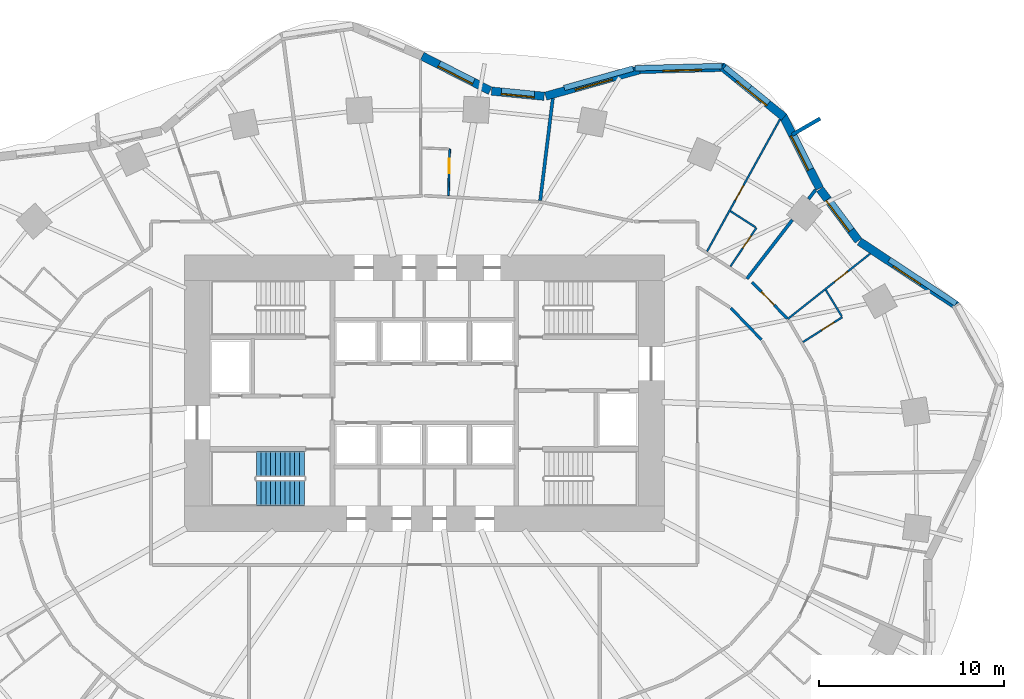
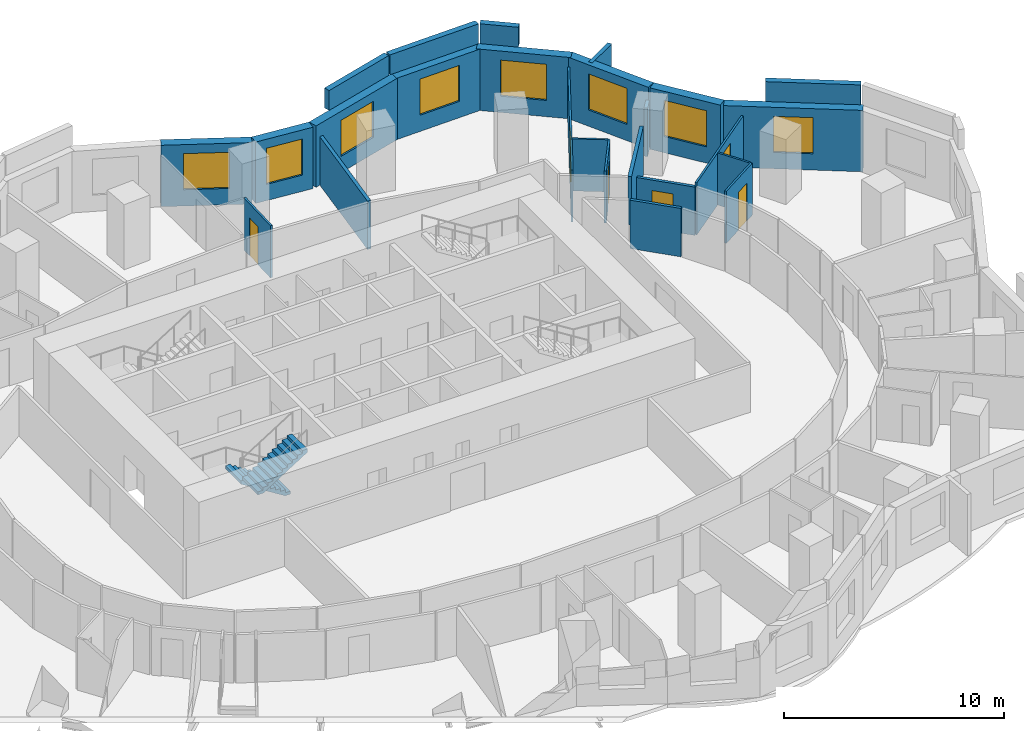
# One storey, part 9 of 11: 25 walls, 8 windows, 6 doors, 2 stair flights, 14 openings, 1 element without a shape of its own.
"""IFC4 building model written with IfcOpenShell, lengths in metres."""

from ifc_helpers import new_model, si_unit, direction, frame, frame_2d, origin, place, context, subcontext, project, spatial, polyline, rectangle, outline, extrude, material, layer, layer_set, type_object, element, fill, aggregate, save


model = new_model("IFC4")

# Units and contexts
model_context = context("Model", 3, precision=1e-05, world=origin(), true_north=direction((0.0, 1.0)))
body_context = subcontext(model_context, "Body", "Model", "MODEL_VIEW")
ifc_project = project(units=[si_unit("LENGTHUNIT", "METRE"), si_unit("AREAUNIT", "SQUARE_METRE"), si_unit("VOLUMEUNIT", "CUBIC_METRE"), si_unit("PLANEANGLEUNIT", "RADIAN"), si_unit("MASSUNIT", "GRAM", prefix="KILO")], contexts=[model_context])

# Site, building, storey
site_placement = place(None, origin())
site = spatial("IfcSite", under=ifc_project, at=site_placement, CompositionType="ELEMENT")
building_placement = place(site_placement, origin())
building = spatial("IfcBuilding", under=site, at=building_placement, Name="Rubra Terraces Tower", CompositionType="ELEMENT")
storey_placement = place(building_placement, frame((0.0, 0.0, 37.5)))
storey = spatial("IfcBuildingStorey", under=building, at=storey_placement, Name="L06", CompositionType="ELEMENT", Elevation=37.5)

# Walls
ifc_material_1 = material(Name="Twin plasterboard on staggered steel stud, acoustic mineral wool", Category="steel")
ifc_layer_1 = layer(ifc_material_1, 0.175048828125)
ifc_layer_set_1 = layer_set([ifc_layer_1], Name="Twin plasterboard on staggered steel stud, acoustic mineral wool")
wall_type_1 = type_object("IfcWallType", Name="ACOUSTIC PARTY WALL 175", PredefinedType="PARTITIONING", material=ifc_layer_set_1)
wall_1_placement = place(storey_placement, frame((21.196533203125, 15.51513671875, 0.0), z_axis=(0.0, 0.0, 1.0), x_axis=(-0.61138040292, -0.791336845424, 0.0)))
element("IfcWall", 1, at=wall_1_placement, inside=storey, type_object=wall_type_1, Name="PARTITION", PredefinedType="PARTITIONING", context=body_context, shape_type="SweptSolid", body=[
    extrude(rectangle(XDim=0.621337890625, YDim=0.175048828125, at=frame_2d((0.310546875, 0.0))), origin(), (0.0, 0.0, 1.0), 2.679931640625),
])
wall_2_placement = place(storey_placement, frame((19.935546875, 13.883056640625, 0.0), z_axis=(0.0, 0.0, 1.0), x_axis=(-0.611406081733, -0.791317005516, 0.0)))
element("IfcWall", 2, at=wall_2_placement, inside=storey, type_object=wall_type_1, Name="PARTITION", PredefinedType="PARTITIONING", context=body_context, shape_type="SweptSolid", body=[
    extrude(rectangle(XDim=4.026123046875, YDim=0.175048828125, at=frame_2d((2.01318359375, 0.0))), origin(), (0.0, 0.0, 1.0), 2.679931640625),
])
wall_3_placement = place(storey_placement, frame((6.959716796875, 20.461669921875, 0.0), z_axis=(0.0, 0.0, 1.0), x_axis=(-0.122322154521, -0.992490448575, 0.0)))
element("IfcWall", 3, at=wall_3_placement, inside=storey, type_object=wall_type_1, Name="PARTITION", PredefinedType="PARTITIONING", context=body_context, shape_type="SweptSolid", body=[
    extrude(rectangle(XDim=5.5625, YDim=0.175048828125, at=frame_2d((2.78125, 0.0))), origin(), (0.0, 0.0, 1.0), 2.679931640625),
])

# Wall, opening, window
ifc_material_2 = material(Name="Brick masonry red-brown", Category="masonry")
ifc_layer_2 = layer(ifc_material_2, 0.449951171875)
ifc_layer_set_2 = layer_set([ifc_layer_2], Name="Brick masonry red-brown")
wall_type_2 = type_object("IfcWallType", Name="Brick facade wall 450", PredefinedType="SOLIDWALL", material=ifc_layer_set_2)
wall_4_placement = place(storey_placement, frame((28.85302734375, 9.227294921875, 0.0), z_axis=(0.0, 0.0, 1.0), x_axis=(-0.834404370393, 0.551152743502, 0.0)))
wall_4 = element("IfcWall", 4, at=wall_4_placement, inside=storey, type_object=wall_type_2, Name="Facade wall L06 bay 3", PredefinedType="SOLIDWALL", context=body_context, shape_type="SweptSolid", body=[
    extrude(rectangle(XDim=6.329833984375, YDim=0.449951171875, at=frame_2d((3.1650390625, 0.0))), origin(), (0.0, 0.0, 1.0), 3.39990234375),
])
opening_1_placement = place(wall_4_placement, frame((2.264892578125, 0.0, 0.89990234375)))
opening_1 = element("IfcOpeningElement", 5, at=opening_1_placement, cuts=wall_4, Name="Opening W6", PredefinedType="OPENING", context=body_context, shape_type="SweptSolid", body=[
    extrude(rectangle(XDim=1.800048828125, YDim=2.0, at=frame_2d((0.89990234375, 1.0))), frame((0.0, 0.23486328125, 0.0), z_axis=(0.0, -1.0, 0.0), x_axis=(1.0, 0.0, 0.0)), (0.0, 0.0, 1.0), 0.469970703125),
])
ifc_material_3 = material(Name="Clear glass in aluminium frame", Category="aluminium")
window_type_1 = type_object("IfcWindowType", Name="Fixed deep-set window at wind fin 1800 x 2000", PartitioningType="SINGLE_PANEL", PredefinedType="WINDOW", material=ifc_material_3)
window_1_placement = place(opening_1_placement, origin())
window_1 = element("IfcWindow", 6, at=window_1_placement, inside=storey, type_object=window_type_1, Name="Window L06 bay 3", OverallHeight=2.0, OverallWidth=1.800048828125, PartitioningType="SINGLE_PANEL", PredefinedType="WINDOW", context=body_context, shape_type="SweptSolid", body=[
    extrude(rectangle(XDim=1.800048828125, YDim=2.0, at=frame_2d((0.89990234375, 1.0))), frame((0.0, 0.135009765625, 0.0), z_axis=(0.0, -1.0, 0.0), x_axis=(1.0, 0.0, 0.0)), (0.0, 0.0, 1.0), 0.06005859375),
])
fill(opening_1, window_1)

wall_5_placement = place(storey_placement, frame((23.520263671875, 12.762451171875, 0.0), z_axis=(0.0, 0.0, 1.0), x_axis=(-0.598664281495, 0.801000048728, 0.0)))
wall_5 = element("IfcWall", 7, at=wall_5_placement, inside=storey, type_object=wall_type_2, Name="Facade wall L06 bay 4", PredefinedType="SOLIDWALL", context=body_context, shape_type="SweptSolid", body=[
    extrude(rectangle(XDim=3.482177734375, YDim=0.449951171875, at=frame_2d((1.7412109375, 0.0))), origin(), (0.0, 0.0, 1.0), 3.39990234375),
])
opening_2_placement = place(wall_5_placement, frame((0.691162109375, 0.0, 0.89990234375)))
opening_2 = element("IfcOpeningElement", 8, at=opening_2_placement, cuts=wall_5, Name="Opening W1", PredefinedType="OPENING", context=body_context, shape_type="SweptSolid", body=[
    extrude(rectangle(XDim=2.10009765625, YDim=2.0, at=frame_2d((1.050048828125, 1.0))), frame((0.0, 0.23486328125, 0.0), z_axis=(0.0, -1.0, 0.0), x_axis=(1.0, 0.0, 0.0)), (0.0, 0.0, 1.0), 0.469970703125),
])
window_type_2 = type_object("IfcWindowType", Name="Fixed deep-set window 2100 x 2000", PartitioningType="SINGLE_PANEL", PredefinedType="WINDOW", material=ifc_material_3)
window_2_placement = place(opening_2_placement, origin())
window_2 = element("IfcWindow", 9, at=window_2_placement, inside=storey, type_object=window_type_2, Name="Window L06 bay 4", OverallHeight=2.0, OverallWidth=2.10009765625, PartitioningType="SINGLE_PANEL", PredefinedType="WINDOW", context=body_context, shape_type="SweptSolid", body=[
    extrude(rectangle(XDim=2.10009765625, YDim=2.0, at=frame_2d((1.050048828125, 1.0))), frame((0.0, 0.135009765625, 0.0), z_axis=(0.0, -1.0, 0.0), x_axis=(1.0, 0.0, 0.0)), (0.0, 0.0, 1.0), 0.06005859375),
])
fill(opening_2, window_2)

wall_6_placement = place(storey_placement, frame((21.41259765625, 15.586181640625, 0.0), z_axis=(0.0, 0.0, 1.0), x_axis=(-0.449428064685, 0.893316525467, 0.0)))
wall_6 = element("IfcWall", 10, at=wall_6_placement, inside=storey, type_object=wall_type_2, Name="Facade wall L06 bay 5", PredefinedType="SOLIDWALL", context=body_context, shape_type="SweptSolid", body=[
    extrude(rectangle(XDim=4.4072265625, YDim=0.449951171875, at=frame_2d((2.20361328125, 0.0))), origin(), (0.0, 0.0, 1.0), 3.39990234375),
])
opening_3_placement = place(wall_6_placement, frame((1.153564453125, 0.0, 0.89990234375)))
opening_3 = element("IfcOpeningElement", 11, at=opening_3_placement, cuts=wall_6, Name="Opening W1", PredefinedType="OPENING", context=body_context, shape_type="SweptSolid", body=[
    extrude(rectangle(XDim=2.10009765625, YDim=2.0, at=frame_2d((1.050048828125, 1.0))), frame((0.0, 0.23486328125, 0.0), z_axis=(0.0, -1.0, 0.0), x_axis=(1.0, 0.0, 0.0)), (0.0, 0.0, 1.0), 0.469970703125),
])
window_3_placement = place(opening_3_placement, origin())
window_3 = element("IfcWindow", 12, at=window_3_placement, inside=storey, type_object=window_type_2, Name="Window L06 bay 5", OverallHeight=2.0, OverallWidth=2.10009765625, PartitioningType="SINGLE_PANEL", PredefinedType="WINDOW", context=body_context, shape_type="SweptSolid", body=[
    extrude(rectangle(XDim=2.10009765625, YDim=2.0, at=frame_2d((1.050048828125, 1.0))), frame((0.0, 0.135009765625, 0.0), z_axis=(0.0, -1.0, 0.0), x_axis=(1.0, 0.0, 0.0)), (0.0, 0.0, 1.0), 0.06005859375),
])
fill(opening_3, window_3)

wall_7_placement = place(storey_placement, frame((19.48779296875, 19.45556640625, 0.0), z_axis=(0.0, 0.0, 1.0), x_axis=(-0.775096506427, 0.631842864741, 0.0)))
wall_7 = element("IfcWall", 13, at=wall_7_placement, inside=storey, type_object=wall_type_2, Name="Facade wall L06 bay 6", PredefinedType="SOLIDWALL", context=body_context, shape_type="SweptSolid", body=[
    extrude(rectangle(XDim=4.349365234375, YDim=0.449951171875, at=frame_2d((2.1748046875, 0.0))), origin(), (0.0, 0.0, 1.0), 3.39990234375),
])
opening_4_placement = place(wall_7_placement, frame((1.12451171875, 0.0, 0.89990234375)))
opening_4 = element("IfcOpeningElement", 14, at=opening_4_placement, cuts=wall_7, Name="Opening W1", PredefinedType="OPENING", context=body_context, shape_type="SweptSolid", body=[
    extrude(rectangle(XDim=2.10009765625, YDim=2.0, at=frame_2d((1.050048828125, 1.0))), frame((0.0, 0.23486328125, 0.0), z_axis=(0.0, -1.0, 0.0), x_axis=(1.0, 0.0, 0.0)), (0.0, 0.0, 1.0), 0.469970703125),
])
window_4_placement = place(opening_4_placement, origin())
window_4 = element("IfcWindow", 15, at=window_4_placement, inside=storey, type_object=window_type_2, Name="Window L06 bay 6", OverallHeight=2.0, OverallWidth=2.10009765625, PartitioningType="SINGLE_PANEL", PredefinedType="WINDOW", context=body_context, shape_type="SweptSolid", body=[
    extrude(rectangle(XDim=2.10009765625, YDim=2.0, at=frame_2d((1.050048828125, 1.0))), frame((0.0, 0.135009765625, 0.0), z_axis=(0.0, -1.0, 0.0), x_axis=(1.0, 0.0, 0.0)), (0.0, 0.0, 1.0), 0.06005859375),
])
fill(opening_4, window_4)

wall_8_placement = place(storey_placement, frame((16.264892578125, 22.153076171875, 0.0), z_axis=(0.0, 0.0, 1.0), x_axis=(-0.999672618135, -0.025586257081, 0.0)))
wall_8 = element("IfcWall", 16, at=wall_8_placement, inside=storey, type_object=wall_type_2, Name="Facade wall L06 bay 7", PredefinedType="SOLIDWALL", context=body_context, shape_type="SweptSolid", body=[
    extrude(rectangle(XDim=4.589599609375, YDim=0.449951171875, at=frame_2d((2.294921875, 0.0))), origin(), (0.0, 0.0, 1.0), 3.39990234375),
])
opening_5_placement = place(wall_8_placement, frame((1.244873046875, 0.0, 0.89990234375)))
opening_5 = element("IfcOpeningElement", 17, at=opening_5_placement, cuts=wall_8, Name="Opening W1", PredefinedType="OPENING", context=body_context, shape_type="SweptSolid", body=[
    extrude(rectangle(XDim=2.10009765625, YDim=2.0, at=frame_2d((1.050048828125, 1.0))), frame((0.0, 0.23486328125, 0.0), z_axis=(0.0, -1.0, 0.0), x_axis=(1.0, 0.0, 0.0)), (0.0, 0.0, 1.0), 0.469970703125),
])
window_5_placement = place(opening_5_placement, origin())
window_5 = element("IfcWindow", 18, at=window_5_placement, inside=storey, type_object=window_type_2, Name="Window L06 bay 7", OverallHeight=2.0, OverallWidth=2.10009765625, PartitioningType="SINGLE_PANEL", PredefinedType="WINDOW", context=body_context, shape_type="SweptSolid", body=[
    extrude(rectangle(XDim=2.10009765625, YDim=2.0, at=frame_2d((1.050048828125, 1.0))), frame((0.0, 0.135009765625, 0.0), z_axis=(0.0, -1.0, 0.0), x_axis=(1.0, 0.0, 0.0)), (0.0, 0.0, 1.0), 0.06005859375),
])
fill(opening_5, window_5)

wall_9_placement = place(storey_placement, frame((11.73193359375, 22.0439453125, 0.0), z_axis=(0.0, 0.0, 1.0), x_axis=(-0.962535416232, -0.271155992925, 0.0)))
wall_9 = element("IfcWall", 19, at=wall_9_placement, inside=storey, type_object=wall_type_2, Name="Facade wall L06 bay 8", PredefinedType="SOLIDWALL", context=body_context, shape_type="SweptSolid", body=[
    extrude(rectangle(XDim=5.357177734375, YDim=0.449951171875, at=frame_2d((2.6787109375, 0.0))), origin(), (0.0, 0.0, 1.0), 3.39990234375),
])
opening_6_placement = place(wall_9_placement, frame((1.628662109375, 0.0, 0.89990234375)))
opening_6 = element("IfcOpeningElement", 20, at=opening_6_placement, cuts=wall_9, Name="Opening W1", PredefinedType="OPENING", context=body_context, shape_type="SweptSolid", body=[
    extrude(rectangle(XDim=2.10009765625, YDim=2.0, at=frame_2d((1.050048828125, 1.0))), frame((0.0, 0.23486328125, 0.0), z_axis=(0.0, -1.0, 0.0), x_axis=(1.0, 0.0, 0.0)), (0.0, 0.0, 1.0), 0.469970703125),
])
window_6_placement = place(opening_6_placement, origin())
window_6 = element("IfcWindow", 21, at=window_6_placement, inside=storey, type_object=window_type_2, Name="Window L06 bay 8", OverallHeight=2.0, OverallWidth=2.10009765625, PartitioningType="SINGLE_PANEL", PredefinedType="WINDOW", context=body_context, shape_type="SweptSolid", body=[
    extrude(rectangle(XDim=2.10009765625, YDim=2.0, at=frame_2d((1.050048828125, 1.0))), frame((0.0, 0.135009765625, 0.0), z_axis=(0.0, -1.0, 0.0), x_axis=(1.0, 0.0, 0.0)), (0.0, 0.0, 1.0), 0.06005859375),
])
fill(opening_6, window_6)

wall_10_placement = place(storey_placement, frame((6.4921875, 20.583984375, 0.0), z_axis=(0.0, 0.0, 1.0), x_axis=(-0.995123748575, 0.098634299418, 0.0)))
wall_10 = element("IfcWall", 22, at=wall_10_placement, inside=storey, type_object=wall_type_2, Name="Facade wall L06 bay 9", PredefinedType="SOLIDWALL", context=body_context, shape_type="SweptSolid", body=[
    extrude(rectangle(XDim=2.86376953125, YDim=0.449951171875, at=frame_2d((1.431884765625, 0.0))), origin(), (0.0, 0.0, 1.0), 3.39990234375),
])
opening_7_placement = place(wall_10_placement, frame((0.531982421875, 0.0, 0.89990234375)))
opening_7 = element("IfcOpeningElement", 23, at=opening_7_placement, cuts=wall_10, Name="Opening W6", PredefinedType="OPENING", context=body_context, shape_type="SweptSolid", body=[
    extrude(rectangle(XDim=1.800048828125, YDim=2.0, at=frame_2d((0.89990234375, 1.0))), frame((0.0, 0.23486328125, 0.0), z_axis=(0.0, -1.0, 0.0), x_axis=(1.0, 0.0, 0.0)), (0.0, 0.0, 1.0), 0.469970703125),
])
window_7_placement = place(opening_7_placement, origin())
window_7 = element("IfcWindow", 24, at=window_7_placement, inside=storey, type_object=window_type_1, Name="Window L06 bay 9", OverallHeight=2.0, OverallWidth=1.800048828125, PartitioningType="SINGLE_PANEL", PredefinedType="WINDOW", context=body_context, shape_type="SweptSolid", body=[
    extrude(rectangle(XDim=1.800048828125, YDim=2.0, at=frame_2d((0.89990234375, 1.0))), frame((0.0, 0.135009765625, 0.0), z_axis=(0.0, -1.0, 0.0), x_axis=(1.0, 0.0, 0.0)), (0.0, 0.0, 1.0), 0.06005859375),
])
fill(opening_7, window_7)

wall_11_placement = place(storey_placement, frame((3.564208984375, 20.888916015625, 0.0), z_axis=(0.0, 0.0, 1.0), x_axis=(-0.891033634447, 0.453937288933, 0.0)))
wall_11 = element("IfcWall", 25, at=wall_11_placement, inside=storey, type_object=wall_type_2, Name="Facade wall L06 bay 10", PredefinedType="SOLIDWALL", context=body_context, shape_type="SweptSolid", body=[
    extrude(rectangle(XDim=4.131591796875, YDim=0.449951171875, at=frame_2d((2.06591796875, 0.0))), origin(), (0.0, 0.0, 1.0), 3.39990234375),
])
opening_8_placement = place(wall_11_placement, frame((1.015869140625, 0.0, 0.89990234375)))
opening_8 = element("IfcOpeningElement", 26, at=opening_8_placement, cuts=wall_11, Name="Opening W1", PredefinedType="OPENING", context=body_context, shape_type="SweptSolid", body=[
    extrude(rectangle(XDim=2.10009765625, YDim=2.0, at=frame_2d((1.050048828125, 1.0))), frame((0.0, 0.23486328125, 0.0), z_axis=(0.0, -1.0, 0.0), x_axis=(1.0, 0.0, 0.0)), (0.0, 0.0, 1.0), 0.469970703125),
])
window_8_placement = place(opening_8_placement, origin())
window_8 = element("IfcWindow", 27, at=window_8_placement, inside=storey, type_object=window_type_2, Name="Window L06 bay 10", OverallHeight=2.0, OverallWidth=2.10009765625, PartitioningType="SINGLE_PANEL", PredefinedType="WINDOW", context=body_context, shape_type="SweptSolid", body=[
    extrude(rectangle(XDim=2.10009765625, YDim=2.0, at=frame_2d((1.050048828125, 1.0))), frame((0.0, 0.135009765625, 0.0), z_axis=(0.0, -1.0, 0.0), x_axis=(1.0, 0.0, 0.0)), (0.0, 0.0, 1.0), 0.06005859375),
])
fill(opening_8, window_8)

# Walls
ifc_layer_3 = layer(ifc_material_2, 0.300048828125)
ifc_layer_set_3 = layer_set([ifc_layer_3], Name="Brick masonry red-brown")
wall_type_3 = type_object("IfcWallType", Name="Brick parapet 300", PredefinedType="PARAPET", material=ifc_layer_set_3)
wall_12_placement = place(storey_placement, frame((28.80712890625, 9.347412109375, 3.60009765625), z_axis=(0.0, 0.0, 1.0), x_axis=(-0.834398186729, 0.551162104995, 0.0)))
element("IfcWall", 28, at=wall_12_placement, inside=storey, type_object=wall_type_3, Name="Parapet L06 bay 3", PredefinedType="PARAPET", context=body_context, shape_type="SweptSolid", body=[
    extrude(rectangle(XDim=4.33740234375, YDim=0.300048828125, at=frame_2d((2.168701171875, 0.0))), origin(), (0.0, 0.0, 1.0), 1.099853515625),
])
wall_13_placement = place(storey_placement, frame((17.646728515625, 21.05322265625, 3.60009765625), z_axis=(0.0, 0.0, 1.0), x_axis=(-0.775067490636, 0.631878457426, 0.0)))
element("IfcWall", 29, at=wall_13_placement, inside=storey, type_object=wall_type_3, Name="Parapet L06 bay 6", PredefinedType="PARAPET", context=body_context, shape_type="SweptSolid", body=[
    extrude(rectangle(XDim=1.771484375, YDim=0.300048828125, at=frame_2d((0.8857421875, 0.0))), origin(), (0.0, 0.0, 1.0), 1.099853515625),
])
wall_14_placement = place(storey_placement, frame((16.121826171875, 22.224365234375, 3.60009765625), z_axis=(0.0, 0.0, 1.0), x_axis=(-0.999672688687, -0.025583500399, 0.0)))
element("IfcWall", 30, at=wall_14_placement, inside=storey, type_object=wall_type_3, Name="Parapet L06 bay 7", PredefinedType="PARAPET", context=body_context, shape_type="SweptSolid", body=[
    extrude(rectangle(XDim=4.714111328125, YDim=0.300048828125, at=frame_2d((2.35693359375, 0.0))), origin(), (0.0, 0.0, 1.0), 1.099853515625),
])
wall_15_placement = place(storey_placement, frame((11.313720703125, 22.08935546875, 3.60009765625), z_axis=(0.0, 0.0, 1.0), x_axis=(-0.962524249835, -0.271195627691, 0.0)))
element("IfcWall", 31, at=wall_15_placement, inside=storey, type_object=wall_type_3, Name="Parapet L06 bay 8", PredefinedType="PARAPET", context=body_context, shape_type="SweptSolid", body=[
    extrude(rectangle(XDim=3.880126953125, YDim=0.300048828125, at=frame_2d((1.93994140625, 0.0))), origin(), (0.0, 0.0, 1.0), 1.099853515625),
])
ifc_layer_4 = layer(ifc_material_2, 0.199951171875)
ifc_layer_set_4 = layer_set([ifc_layer_4], Name="Brick masonry red-brown")
wall_type_4 = type_object("IfcWallType", Name="Brick wind fin 200", PredefinedType="SOLIDWALL", material=ifc_layer_set_4)
wall_16_placement = place(storey_placement, frame((19.927978515625, 18.50390625, 0.0), z_axis=(0.0, 0.0, 1.0), x_axis=(0.865881186914, 0.500249707794, 0.0)))
element("IfcWall", 32, at=wall_16_placement, inside=storey, type_object=wall_type_4, Name="Wind fin L06 3", PredefinedType="SOLIDWALL", context=body_context, shape_type="SweptSolid", body=[
    extrude(rectangle(XDim=1.75, YDim=0.199951171875, at=frame_2d((0.875, 0.0))), origin(), (0.0, 0.0, 1.0), 3.39990234375),
])

# Wall, opening, door
ifc_material_4 = material(Name="Plasterboard on steel stud, mineral wool infill", Category="steel")
ifc_layer_5 = layer(ifc_material_4, 0.14990234375)
ifc_layer_set_5 = layer_set([ifc_layer_5], Name="Plasterboard on steel stud, mineral wool infill")
wall_type_5 = type_object("IfcWallType", Name="CORRIDOR PARTITION 150", PredefinedType="PARTITIONING", material=ifc_layer_set_5)
wall_17_placement = place(storey_placement, frame((19.662841796875, 8.5419921875, 0.0), z_axis=(0.0, 0.0, 1.0), x_axis=(-0.695225869021, 0.718791340407, 0.0)))
wall_17 = element("IfcWall", 33, at=wall_17_placement, inside=storey, type_object=wall_type_5, Name="PARTITION", PredefinedType="PARTITIONING", context=body_context, shape_type="SweptSolid", body=[
    extrude(rectangle(XDim=2.745361328125, YDim=0.14990234375, at=frame_2d((1.37255859375, 0.0))), origin(), (0.0, 0.0, 1.0), 2.679931640625),
])
opening_9_placement = place(wall_17_placement, frame((1.02392578125, 0.0, 0.0)))
opening_9 = element("IfcOpeningElement", 34, at=opening_9_placement, cuts=wall_17, Name="Opening 06-103", PredefinedType="OPENING", context=body_context, shape_type="SweptSolid", body=[
    extrude(rectangle(XDim=1.0, YDim=2.10009765625, at=frame_2d((0.5, 1.050048828125))), frame((0.0, 0.0849609375, 0.0), z_axis=(0.0, -1.0, 0.0), x_axis=(1.0, 0.0, 0.0)), (0.0, 0.0, 1.0), 0.169921875),
])
ifc_material_5 = material(Name="Painted timber door leaf", Category="wood")
door_type_1 = type_object("IfcDoorType", Name="ROOM DOOR 1000 X 2100", OperationType="SINGLE_SWING_LEFT", PredefinedType="DOOR", material=ifc_material_5)
door_1_placement = place(opening_9_placement, origin())
door_1 = element("IfcDoor", 35, at=door_1_placement, inside=storey, type_object=door_type_1, Name="DOOR 06-103", OperationType="SINGLE_SWING_RIGHT", OverallHeight=2.10009765625, OverallWidth=1.0, PredefinedType="DOOR", context=body_context, shape_type="SweptSolid", body=[
    extrude(rectangle(XDim=1.0, YDim=2.10009765625, at=frame_2d((0.5, 1.050048828125))), frame((0.0, 0.02490234375, 0.0), z_axis=(0.0, -1.0, 0.0), x_axis=(1.0, 0.0, 0.0)), (0.0, 0.0, 1.0), 0.050048828125),
])
fill(opening_9, door_1)

# Wall
wall_18_placement = place(storey_placement, frame((16.603515625, 9.1162109375, 0.0), z_axis=(0.0, 0.0, 1.0), x_axis=(0.695185405932, -0.718830474716, 0.0)))
element("IfcWall", 36, at=wall_18_placement, inside=storey, type_object=wall_type_5, Name="PARTITION", PredefinedType="PARTITIONING", context=body_context, shape_type="SweptSolid", body=[
    extrude(rectangle(XDim=2.3955078125, YDim=0.14990234375, at=frame_2d((1.19775390625, 0.0))), origin(), (0.0, 0.0, 1.0), 2.679931640625),
])

# Wall, opening, door
ifc_material_6 = material(Name="Plasterboard on steel stud", Category="steel")
ifc_layer_6 = layer(ifc_material_6, 0.10009765625)
ifc_layer_set_6 = layer_set([ifc_layer_6], Name="Plasterboard on steel stud")
wall_type_6 = type_object("IfcWallType", Name="ROOM PARTITION 100", PredefinedType="PARTITIONING", material=ifc_layer_set_6)
wall_19_placement = place(storey_placement, frame((24.156982421875, 12.0595703125, 0.0), z_axis=(0.0, 0.0, 1.0), x_axis=(-0.784024125513, -0.620730352579, 0.0)))
wall_19 = element("IfcWall", 37, at=wall_19_placement, inside=storey, type_object=wall_type_6, Name="PARTITION", PredefinedType="PARTITIONING", context=body_context, shape_type="SweptSolid", body=[
    extrude(rectangle(XDim=5.703857421875, YDim=0.10009765625, at=frame_2d((2.85205078125, 0.0))), origin(), (0.0, 0.0, 1.0), 2.884033203125),
])
opening_10_placement = place(wall_19_placement, frame((1.553955078125, 0.0, 0.0)))
opening_10 = element("IfcOpeningElement", 38, at=opening_10_placement, cuts=wall_19, Name="Opening 06-102", PredefinedType="OPENING", context=body_context, shape_type="SweptSolid", body=[
    extrude(rectangle(XDim=0.89990234375, YDim=2.39990234375, at=frame_2d((0.449951171875, 1.199951171875))), frame((0.0, 0.06005859375, 0.0), z_axis=(0.0, -1.0, 0.0), x_axis=(1.0, 0.0, 0.0)), (0.0, 0.0, 1.0), 0.1201171875),
])
ifc_material_7 = material(Name="Veneered timber door leaf, fire-rated", Category="wood")
door_type_2 = type_object("IfcDoorType", Name="SUITE ENTRANCE DOOR 900 X 2400", OperationType="SINGLE_SWING_LEFT", PredefinedType="DOOR", material=ifc_material_7)
door_2_placement = place(opening_10_placement, origin())
door_2 = element("IfcDoor", 39, at=door_2_placement, inside=storey, type_object=door_type_2, Name="DOOR 06-102", OperationType="SINGLE_SWING_LEFT", OverallHeight=2.39990234375, OverallWidth=0.89990234375, PredefinedType="DOOR", context=body_context, shape_type="SweptSolid", body=[
    extrude(rectangle(XDim=0.89990234375, YDim=2.39990234375, at=frame_2d((0.449951171875, 1.199951171875))), frame((0.0, 0.02490234375, 0.0), z_axis=(0.0, -1.0, 0.0), x_axis=(1.0, 0.0, 0.0)), (0.0, 0.0, 1.0), 0.050048828125),
])
fill(opening_10, door_2)

wall_20_placement = place(storey_placement, frame((20.510498046875, 7.268310546875, 0.0), z_axis=(0.0, 0.0, 1.0), x_axis=(0.845139460936, 0.534545874148, 0.0)))
wall_20 = element("IfcWall", 40, at=wall_20_placement, inside=storey, type_object=wall_type_6, Name="PARTITION", PredefinedType="PARTITIONING", context=body_context, shape_type="SweptSolid", body=[
    extrude(rectangle(XDim=2.524658203125, YDim=0.10009765625, at=frame_2d((1.26220703125, 0.0))), origin(), (0.0, 0.0, 1.0), 2.884033203125),
])
opening_11_placement = place(wall_20_placement, frame((1.199951171875, 0.0, 0.0)))
opening_11 = element("IfcOpeningElement", 41, at=opening_11_placement, cuts=wall_20, Name="Opening 06-101", PredefinedType="OPENING", context=body_context, shape_type="SweptSolid", body=[
    extrude(rectangle(XDim=0.800048828125, YDim=2.10009765625, at=frame_2d((0.39990234375, 1.050048828125))), frame((0.0, 0.06005859375, 0.0), z_axis=(0.0, -1.0, 0.0), x_axis=(1.0, 0.0, 0.0)), (0.0, 0.0, 1.0), 0.1201171875),
])
door_type_3 = type_object("IfcDoorType", Name="BATHROOM DOOR 800 X 2100", OperationType="SINGLE_SWING_LEFT", PredefinedType="DOOR", material=ifc_material_5)
door_3_placement = place(opening_11_placement, origin())
door_3 = element("IfcDoor", 42, at=door_3_placement, inside=storey, type_object=door_type_3, Name="DOOR 06-101", OperationType="SINGLE_SWING_LEFT", OverallHeight=2.10009765625, OverallWidth=0.800048828125, PredefinedType="DOOR", context=body_context, shape_type="SweptSolid", body=[
    extrude(rectangle(XDim=0.800048828125, YDim=2.10009765625, at=frame_2d((0.39990234375, 1.050048828125))), frame((0.0, 0.02490234375, 0.0), z_axis=(0.0, -1.0, 0.0), x_axis=(1.0, 0.0, 0.0)), (0.0, 0.0, 1.0), 0.050048828125),
])
fill(opening_11, door_3)

# Wall
wall_21_placement = place(storey_placement, frame((22.618408203125, 8.66064453125, 0.0), z_axis=(0.0, 0.0, 1.0), x_axis=(-0.519423656264, 0.854516860754, 0.0)))
element("IfcWall", 43, at=wall_21_placement, inside=storey, type_object=wall_type_6, Name="PARTITION", PredefinedType="PARTITIONING", context=body_context, shape_type="SweptSolid", body=[
    extrude(rectangle(XDim=1.6728515625, YDim=0.10009765625, at=frame_2d((0.83642578125, 0.0))), origin(), (0.0, 0.0, 1.0), 2.884033203125),
])

# Wall, opening, door
wall_22_placement = place(storey_placement, frame((19.269287109375, 19.337158203125, 0.0), z_axis=(0.0, 0.0, 1.0), x_axis=(-0.483536788566, -0.875324039487, 0.0)))
wall_22 = element("IfcWall", 44, at=wall_22_placement, inside=storey, type_object=wall_type_6, Name="PARTITION", PredefinedType="PARTITIONING", context=body_context, shape_type="SweptSolid", body=[
    extrude(rectangle(XDim=8.17431640625, YDim=0.10009765625, at=frame_2d((4.087158203125, 0.0))), origin(), (0.0, 0.0, 1.0), 2.884033203125),
])
opening_12_placement = place(wall_22_placement, frame((4.09912109375, 0.0, 0.0)))
opening_12 = element("IfcOpeningElement", 45, at=opening_12_placement, cuts=wall_22, Name="Opening 06-105", PredefinedType="OPENING", context=body_context, shape_type="SweptSolid", body=[
    extrude(rectangle(XDim=0.89990234375, YDim=2.39990234375, at=frame_2d((0.449951171875, 1.199951171875))), frame((0.0, 0.06005859375, 0.0), z_axis=(0.0, -1.0, 0.0), x_axis=(1.0, 0.0, 0.0)), (0.0, 0.0, 1.0), 0.1201171875),
])
door_4_placement = place(opening_12_placement, origin())
door_4 = element("IfcDoor", 46, at=door_4_placement, inside=storey, type_object=door_type_2, Name="DOOR 06-105", OperationType="SINGLE_SWING_LEFT", OverallHeight=2.39990234375, OverallWidth=0.89990234375, PredefinedType="DOOR", context=body_context, shape_type="SweptSolid", body=[
    extrude(rectangle(XDim=0.89990234375, YDim=2.39990234375, at=frame_2d((0.449951171875, 1.199951171875))), frame((0.0, 0.02490234375, 0.0), z_axis=(0.0, -1.0, 0.0), x_axis=(1.0, 0.0, 0.0)), (0.0, 0.0, 1.0), 0.050048828125),
])
fill(opening_12, door_4)

wall_23_placement = place(storey_placement, frame((16.58154296875, 11.363525390625, 0.0), z_axis=(0.0, 0.0, 1.0), x_axis=(0.558554224274, 0.829468009356, 0.0)))
wall_23 = element("IfcWall", 47, at=wall_23_placement, inside=storey, type_object=wall_type_6, Name="PARTITION", PredefinedType="PARTITIONING", context=body_context, shape_type="SweptSolid", body=[
    extrude(rectangle(XDim=2.525146484375, YDim=0.10009765625, at=frame_2d((1.2626953125, 0.0))), origin(), (0.0, 0.0, 1.0), 2.884033203125),
])
opening_13_placement = place(wall_23_placement, frame((1.199951171875, 0.0, 0.0)))
opening_13 = element("IfcOpeningElement", 48, at=opening_13_placement, cuts=wall_23, Name="Opening 06-104", PredefinedType="OPENING", context=body_context, shape_type="SweptSolid", body=[
    extrude(rectangle(XDim=0.800048828125, YDim=2.10009765625, at=frame_2d((0.39990234375, 1.050048828125))), frame((0.0, 0.06005859375, 0.0), z_axis=(0.0, -1.0, 0.0), x_axis=(1.0, 0.0, 0.0)), (0.0, 0.0, 1.0), 0.1201171875),
])
door_5_placement = place(opening_13_placement, origin())
door_5 = element("IfcDoor", 49, at=door_5_placement, inside=storey, type_object=door_type_3, Name="DOOR 06-104", OperationType="SINGLE_SWING_LEFT", OverallHeight=2.10009765625, OverallWidth=0.800048828125, PredefinedType="DOOR", context=body_context, shape_type="SweptSolid", body=[
    extrude(rectangle(XDim=0.800048828125, YDim=2.10009765625, at=frame_2d((0.39990234375, 1.050048828125))), frame((0.0, 0.02490234375, 0.0), z_axis=(0.0, -1.0, 0.0), x_axis=(1.0, 0.0, 0.0)), (0.0, 0.0, 1.0), 0.050048828125),
])
fill(opening_13, door_5)

# Wall
wall_24_placement = place(storey_placement, frame((17.94970703125, 13.485107421875, 0.0), z_axis=(0.0, 0.0, 1.0), x_axis=(-0.841431701804, 0.540363480631, 0.0)))
element("IfcWall", 50, at=wall_24_placement, inside=storey, type_object=wall_type_6, Name="PARTITION", PredefinedType="PARTITIONING", context=body_context, shape_type="SweptSolid", body=[
    extrude(rectangle(XDim=1.62841796875, YDim=0.10009765625, at=frame_2d((0.814208984375, 0.0))), origin(), (0.0, 0.0, 1.0), 2.884033203125),
])

# Wall, opening, door
wall_25_placement = place(storey_placement, frame((1.3076171875, 15.20556640625, 0.0), z_axis=(0.0, 0.0, 1.0), x_axis=(0.026784737783, 0.999641224551, 0.0)))
wall_25 = element("IfcWall", 51, at=wall_25_placement, inside=storey, type_object=wall_type_6, Name="PARTITION", PredefinedType="PARTITIONING", context=body_context, shape_type="SweptSolid", body=[
    extrude(rectangle(XDim=2.52490234375, YDim=0.10009765625, at=frame_2d((1.262451171875, 0.0))), origin(), (0.0, 0.0, 1.0), 2.884033203125),
])
opening_14_placement = place(wall_25_placement, frame((1.199951171875, 0.0, 0.0)))
opening_14 = element("IfcOpeningElement", 52, at=opening_14_placement, cuts=wall_25, Name="Opening 06-107", PredefinedType="OPENING", context=body_context, shape_type="SweptSolid", body=[
    extrude(rectangle(XDim=0.800048828125, YDim=2.10009765625, at=frame_2d((0.39990234375, 1.050048828125))), frame((0.0, 0.06005859375, 0.0), z_axis=(0.0, -1.0, 0.0), x_axis=(1.0, 0.0, 0.0)), (0.0, 0.0, 1.0), 0.1201171875),
])
door_6_placement = place(opening_14_placement, origin())
door_6 = element("IfcDoor", 53, at=door_6_placement, inside=storey, type_object=door_type_3, Name="DOOR 06-107", OperationType="SINGLE_SWING_LEFT", OverallHeight=2.10009765625, OverallWidth=0.800048828125, PredefinedType="DOOR", context=body_context, shape_type="SweptSolid", body=[
    extrude(rectangle(XDim=0.800048828125, YDim=2.10009765625, at=frame_2d((0.39990234375, 1.050048828125))), frame((0.0, 0.02490234375, 0.0), z_axis=(0.0, -1.0, 0.0), x_axis=(1.0, 0.0, 0.0)), (0.0, 0.0, 1.0), 0.050048828125),
])
fill(opening_14, door_6)

# Stair, stair flights
ifc_material_8 = material(Name="Concrete C40", Category="concrete")
stair_type = type_object("IfcStairType", Name="Core stair 1400", PredefinedType="HALF_TURN_STAIR", material=ifc_material_8)
stair_placement = place(storey_placement, origin())
stair = element("IfcStair", 54, at=stair_placement, inside=storey, type_object=stair_type, Name="L06 Exit stair S1", PredefinedType="HALF_TURN_STAIR")
stair_flight_type = type_object("IfcStairFlightType", Name="Core stair flight 1400", PredefinedType="STRAIGHT", material=ifc_material_8)
stair_flight_1_placement = place(storey_placement, frame((-6.5, 0.64990234375, 0.0), z_axis=(0.0, 0.0, 1.0), x_axis=(-1.0, 0.0, 0.0)))
stair_flight_1 = element("IfcStairFlight", 55, at=stair_flight_1_placement, type_object=stair_flight_type, Name="S1 flight 1", NumberOfRisers=11, NumberOfTreads=10, PredefinedType="STRAIGHT", RiserHeight=0.163636364, TreadLength=0.26, context=body_context, shape_type="SweptSolid", body=[
    extrude(outline(polyline([(0.0, 0.0), (0.0, 0.16357421875), (0.260009765625, 0.16357421875), (0.260009765625, 0.327392578125), (0.52001953125, 0.327392578125), (0.52001953125, 0.490966796875), (0.780029296875, 0.490966796875), (0.780029296875, 0.654541015625), (1.0400390625, 0.654541015625), (1.0400390625, 0.818115234375), (1.300048828125, 0.818115234375), (1.300048828125, 0.98193359375), (1.56005859375, 0.98193359375), (1.56005859375, 1.1455078125), (1.820068359375, 1.1455078125), (1.820068359375, 1.30908203125), (2.080078125, 1.30908203125), (2.080078125, 1.47265625), (2.340087890625, 1.47265625), (2.340087890625, 1.636474609375), (2.60009765625, 1.636474609375), (2.60009765625, 1.800048828125), (2.60009765625, 1.459228515625), (0.281494140625, 0.0), (0.0, 0.0)])), frame((0.0, 0.699951171875, 0.0), z_axis=(0.0, -1.0, 0.0), x_axis=(1.0, 0.0, 0.0)), (0.0, 0.0, 1.0), 1.39990234375),
])
stair_flight_2_placement = place(storey_placement, frame((-9.10009765625, -0.89990234375, 1.800048828125), z_axis=(0.0, 0.0, 1.0), x_axis=(1.0, 0.0, 0.0)))
stair_flight_2 = element("IfcStairFlight", 56, at=stair_flight_2_placement, type_object=stair_flight_type, Name="S1 flight 2", NumberOfRisers=11, NumberOfTreads=10, PredefinedType="STRAIGHT", RiserHeight=0.163636364, TreadLength=0.26, context=body_context, shape_type="SweptSolid", body=[
    extrude(outline(polyline([(0.0, 0.0), (0.0, 0.16357421875), (0.260009765625, 0.16357421875), (0.260009765625, 0.327392578125), (0.52001953125, 0.327392578125), (0.52001953125, 0.490966796875), (0.780029296875, 0.490966796875), (0.780029296875, 0.654541015625), (1.0400390625, 0.654541015625), (1.0400390625, 0.818115234375), (1.300048828125, 0.818115234375), (1.300048828125, 0.98193359375), (1.56005859375, 0.98193359375), (1.56005859375, 1.1455078125), (1.820068359375, 1.1455078125), (1.820068359375, 1.30908203125), (2.080078125, 1.30908203125), (2.080078125, 1.47265625), (2.340087890625, 1.47265625), (2.340087890625, 1.636474609375), (2.60009765625, 1.636474609375), (2.60009765625, 1.800048828125), (2.60009765625, 1.459228515625), (0.281494140625, 0.0), (0.0, 0.0)])), frame((0.0, 0.699951171875, 0.0), z_axis=(0.0, -1.0, 0.0), x_axis=(1.0, 0.0, 0.0)), (0.0, 0.0, 1.0), 1.39990234375),
])
aggregate(stair, [stair_flight_1, stair_flight_2])

save(model, "model.ifc")
